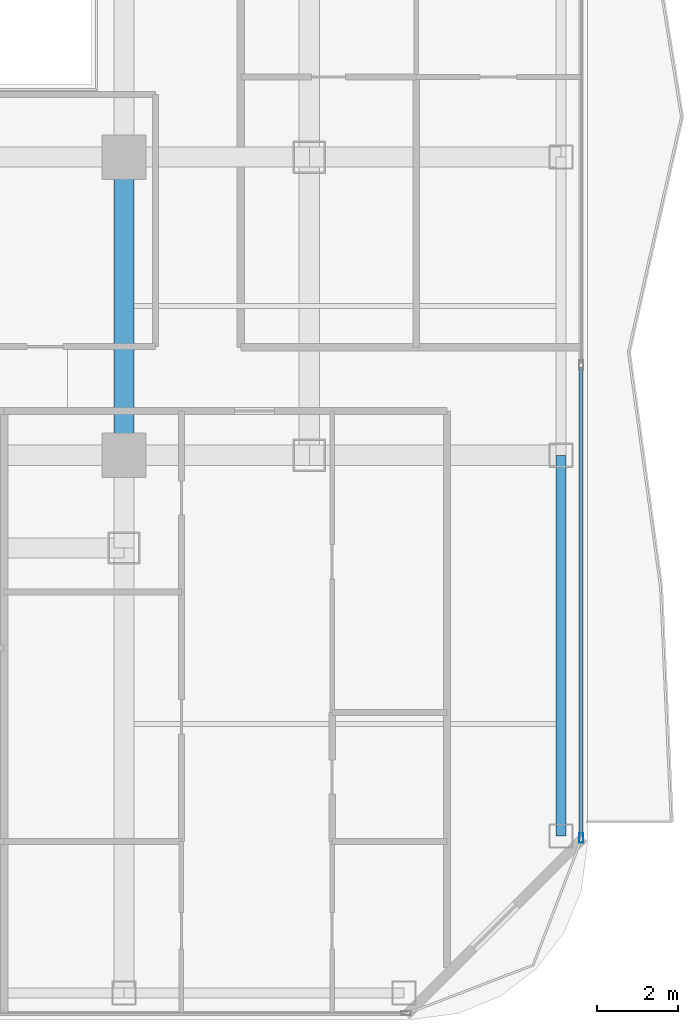
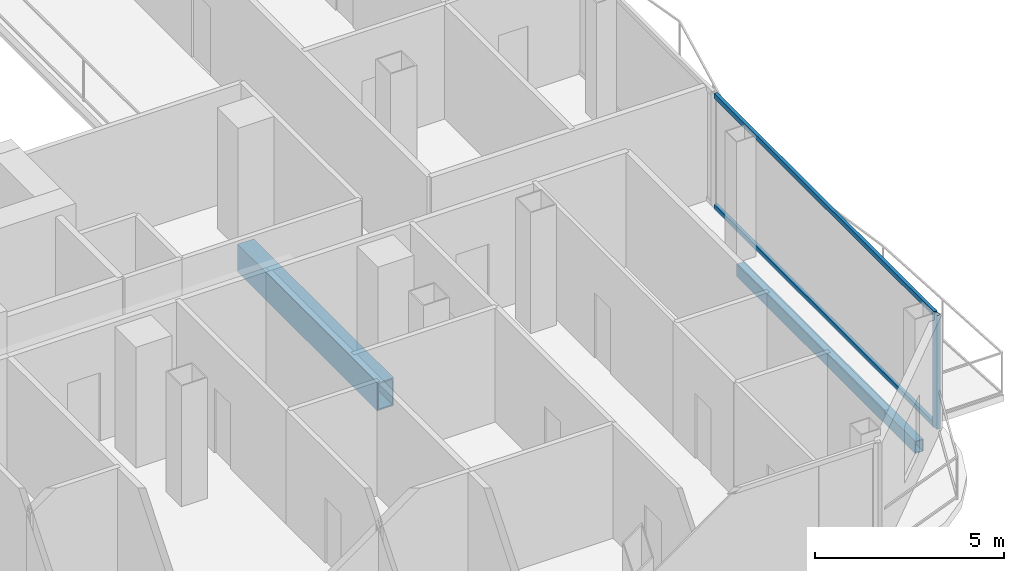
# One storey, part 9 of 26: 3 members, 2 beams, 1 element without a shape of its own.
"""IFC4 building model written with IfcOpenShell, lengths in metres."""

from ifc_helpers import new_model, si_unit, direction, frame, origin, origin_2d, place, context, subcontext, project, spatial, hollow_rectangle, extrude, material, layer, layer_set, material_profile, profile_set, type_object, element, aggregate, save


model = new_model("IFC4")

# Units and contexts
model_context = context("Model", 3, precision=1e-05, world=origin(), true_north=direction((0.0, 1.0)))
body_context = subcontext(model_context, "Body", "Model", "MODEL_VIEW")
ifc_project = project(units=[si_unit("LENGTHUNIT", "METRE"), si_unit("AREAUNIT", "SQUARE_METRE"), si_unit("VOLUMEUNIT", "CUBIC_METRE"), si_unit("PLANEANGLEUNIT", "RADIAN"), si_unit("MASSUNIT", "GRAM", prefix="KILO")], contexts=[model_context])

# Site, building, storey
site_placement = place(None, origin())
site = spatial("IfcSite", under=ifc_project, at=site_placement, CompositionType="ELEMENT")
building_placement = place(site_placement, origin())
building = spatial("IfcBuilding", under=site, at=building_placement, Name="Khorvyn Point Tower", CompositionType="ELEMENT")
storey_placement = place(building_placement, frame((0.0, 0.0, 219.60009765625)))
storey = spatial("IfcBuildingStorey", under=building, at=storey_placement, Name="L54", CompositionType="ELEMENT", Elevation=219.60009765625)

# Curtain wall, members
ifc_material_1 = material(Name="Anodised aluminium 6063-T6 and laminated Low-E glass", Category="aluminium")
ifc_layer = layer(ifc_material_1, 0.18994140625)
ifc_layer_set = layer_set([ifc_layer], Name="Stick-Built Acoustic Curtain Wall CW-SYS-03")
curtain_wall_type = type_object("IfcCurtainWallType", Name="Stick-Built Acoustic Curtain Wall CW-SYS-03", PredefinedType="NOTDEFINED", material=ifc_layer_set)
curtain_wall_placement = place(storey_placement, origin())
curtain_wall = element("IfcCurtainWall", 1, at=curtain_wall_placement, inside=storey, type_object=curtain_wall_type, Name="Curtain Wall", PredefinedType="NOTDEFINED")
ifc_material_2 = material(Name="Anodised aluminium 6063-T6", Category="aluminium")
ifc_material_profile_1 = material_profile(ifc_material_2, hollow_rectangle(XDim=0.10009765625, YDim=0.239990234375, WallThickness=0.0048828125, at=origin_2d()))
ifc_profile_set_1 = profile_set([ifc_material_profile_1], Name="Anodised aluminium 6063-T6 ALU-MUL-100x240")
member_type_1 = type_object("IfcMemberType", Name="Anodised Aluminium 6063-T6 Mullion ALU-MUL-100x240", PredefinedType="MULLION", material=ifc_profile_set_1)
member_1_placement = place(storey_placement, frame((26.14990234375, -24.300048828125, 0.0), z_axis=(0.0, 0.0, 1.0), x_axis=(1.0, 0.0, 0.0)))
member_1 = element("IfcMember", 2, at=member_1_placement, type_object=member_type_1, Name="Transom", PredefinedType="MULLION", context=body_context, shape_type="SweptSolid", body=[
    extrude(hollow_rectangle(XDim=0.10009765625, YDim=0.239990234375, WallThickness=0.0048828125, at=origin_2d()), origin(), (0.0, 0.0, 1.0), 3.679931640625),
])
ifc_material_profile_2 = material_profile(ifc_material_2, hollow_rectangle(XDim=0.10009765625, YDim=0.159912109375, WallThickness=0.00439453125, at=origin_2d()))
ifc_profile_set_2 = profile_set([ifc_material_profile_2], Name="Anodised aluminium 6063-T6 ALU-TRN-100x160")
member_type_2 = type_object("IfcMemberType", Name="Anodised Aluminium 6063-T6 Transom ALU-TRN-100x160", PredefinedType="USERDEFINED", material=ifc_profile_set_2)
member_2_placement = place(storey_placement, frame((26.14990234375, -12.617431640625, 0.0498046875), z_axis=(0.0, -1.0, 0.0), x_axis=(1.0, 0.0, 0.0)))
member_2 = element("IfcMember", 3, at=member_2_placement, type_object=member_type_2, Name="Transom", ObjectType="TRANSOM", PredefinedType="USERDEFINED", context=body_context, shape_type="SweptSolid", body=[
    extrude(hollow_rectangle(XDim=0.10009765625, YDim=0.159912109375, WallThickness=0.00439453125, at=origin_2d()), origin(), (0.0, 0.0, 1.0), 11.632568359375),
])
member_3_placement = place(storey_placement, frame((26.14990234375, -12.617431640625, 3.6298828125), z_axis=(0.0, -1.0, 0.0), x_axis=(1.0, 0.0, 0.0)))
member_3 = element("IfcMember", 4, at=member_3_placement, type_object=member_type_2, Name="Transom", ObjectType="TRANSOM", PredefinedType="USERDEFINED", context=body_context, shape_type="SweptSolid", body=[
    extrude(hollow_rectangle(XDim=0.10009765625, YDim=0.159912109375, WallThickness=0.00439453125, at=origin_2d()), origin(), (0.0, 0.0, 1.0), 11.632568359375),
])
aggregate(curtain_wall, [member_1, member_2, member_3])

# Beams
ifc_material_3 = material(Name="Steel S355", Category="steel")
ifc_material_profile_3 = material_profile(ifc_material_3, hollow_rectangle(XDim=0.25, YDim=0.39990234375, WallThickness=0.01611328125, at=origin_2d()))
ifc_profile_set_3 = profile_set([ifc_material_profile_3], Name="Steel S355 RHS400x250x16")
beam_type_1 = type_object("IfcBeamType", Name="Steel S355 Spandrel RHS400x250x16", PredefinedType="SPANDREL", material=ifc_profile_set_3)
beam_1_placement = place(storey_placement, frame((25.64990234375, -24.25, -0.47998046875), z_axis=(0.0, 1.0, 0.0), x_axis=(-1.0, 0.0, 0.0)))
element("IfcBeam", 5, at=beam_1_placement, inside=storey, type_object=beam_type_1, Name="Beam", PredefinedType="SPANDREL", context=body_context, shape_type="SweptSolid", body=[
    extrude(hollow_rectangle(XDim=0.25, YDim=0.39990234375, WallThickness=0.01611328125, at=origin_2d()), origin(), (0.0, 0.0, 1.0), 9.449951171875),
])
ifc_material_4 = material(Name="Steel S450", Category="steel")
ifc_material_profile_4 = material_profile(ifc_material_4, hollow_rectangle(XDim=0.5, YDim=0.89990234375, WallThickness=0.0400390625, at=origin_2d()))
ifc_profile_set_4 = profile_set([ifc_material_profile_4], Name="Steel S450 BOX900x500x40")
beam_type_2 = type_object("IfcBeamType", Name="Steel S450 Beam BOX900x500x40", PredefinedType="BEAM", material=ifc_profile_set_4)
beam_2_placement = place(storey_placement, frame((14.800048828125, -14.800048828125, -0.72998046875), z_axis=(0.0, 1.0, 0.0), x_axis=(-1.0, 0.0, 0.0)))
element("IfcBeam", 6, at=beam_2_placement, inside=storey, type_object=beam_type_2, Name="L54 Radial Transfer Girder", PredefinedType="BEAM", context=body_context, shape_type="SweptSolid", body=[
    extrude(hollow_rectangle(XDim=0.5, YDim=0.89990234375, WallThickness=0.0400390625, at=origin_2d()), origin(), (0.0, 0.0, 1.0), 7.400146484375),
])

save(model, "model.ifc")
